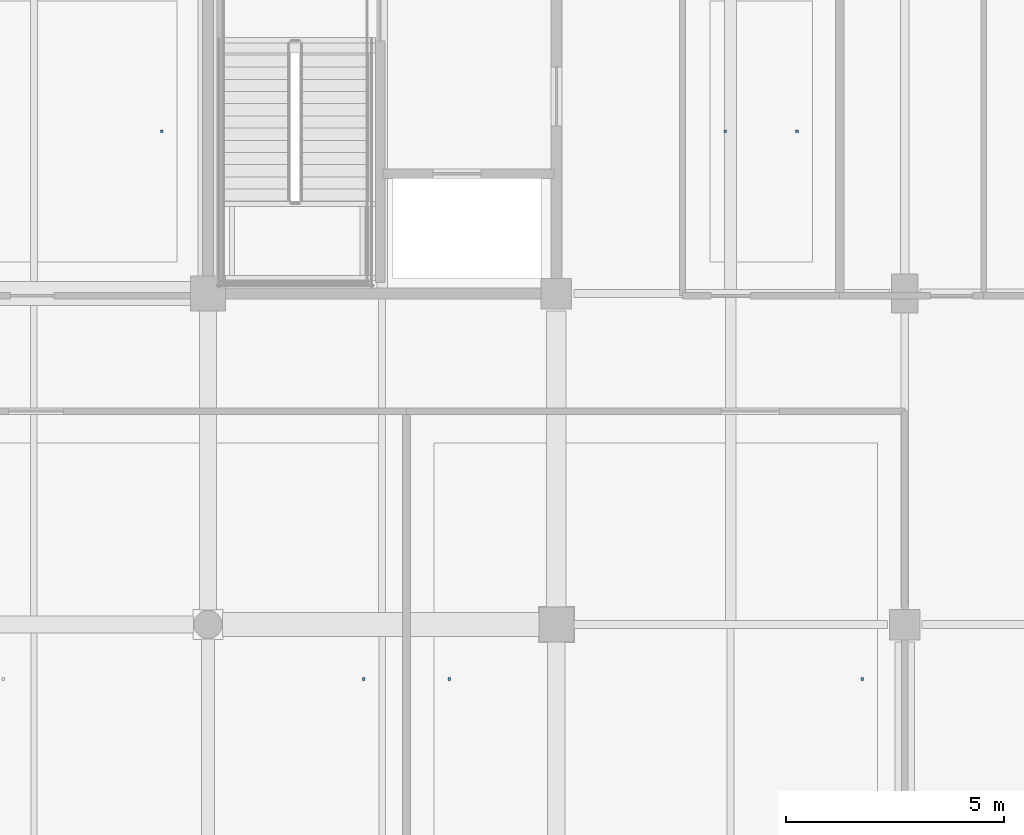
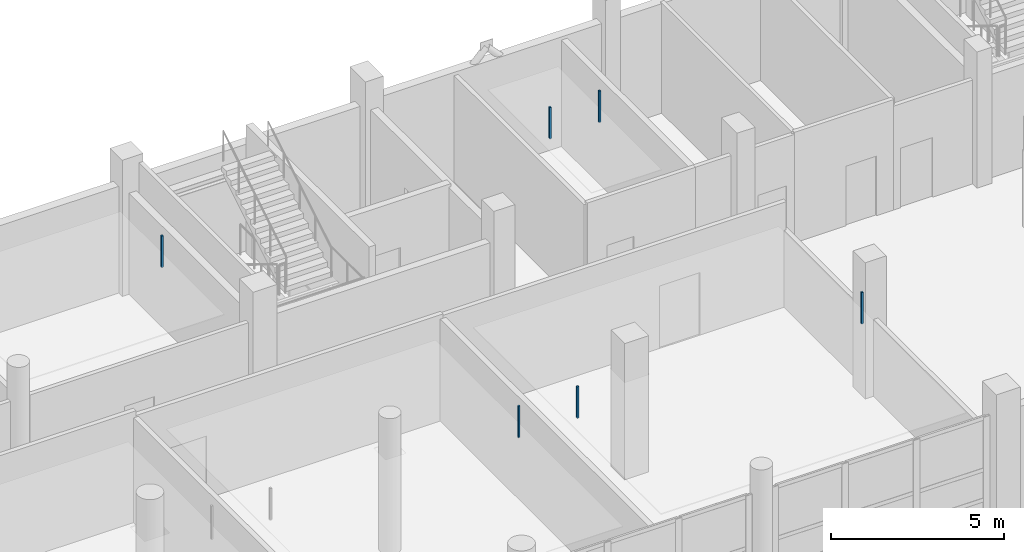
# One storey, part 120 of 141: 6 discrete accessories.
"""IFC4 building model written with IfcOpenShell, lengths in metres."""

from ifc_helpers import new_model, si_unit, direction, frame, origin, origin_2d, place, context, subcontext, project, spatial, rectangle, extrude, material, type_object, element, save


model = new_model("IFC4")

# Units and contexts
model_context = context("Model", 3, precision=1e-05, world=origin(), true_north=direction((0.0, 1.0)))
body_context = subcontext(model_context, "Body", "Model", "MODEL_VIEW")
ifc_project = project(units=[si_unit("LENGTHUNIT", "METRE"), si_unit("AREAUNIT", "SQUARE_METRE"), si_unit("VOLUMEUNIT", "CUBIC_METRE"), si_unit("PLANEANGLEUNIT", "RADIAN"), si_unit("MASSUNIT", "GRAM", prefix="KILO")], contexts=[model_context])

# Site, building, storey
site_placement = place(None, origin())
site = spatial("IfcSite", under=ifc_project, at=site_placement, CompositionType="ELEMENT")
building_placement = place(site_placement, origin())
building = spatial("IfcBuilding", under=site, at=building_placement, Name="Khelvaren Railside Concert Hall", CompositionType="ELEMENT")
storey_placement = place(building_placement, frame((0.0, 0.0, 10.199951171875)))
storey = spatial("IfcBuildingStorey", under=building, at=storey_placement, Name="L02", CompositionType="ELEMENT", Elevation=10.199951171875)

# Discrete accessories
ifc_material = material(Name="Galvanised steel acoustic ceiling hanger rod", Category="steel")
discrete_accessory_type = type_object("IfcDiscreteAccessoryType", Name="BRK62", PredefinedType="BRACKET", material=ifc_material)
for number, where, z_axis, x_axis, name in (
    (1, (147.575927734375, 97.550048828125, 3.43017578125), (0.0, 0.0, 1.0), (1.0, 0.0, 0.0), "Acoustic Ceiling Suspension Bracket 147-2"),
    (2, (149.535888671875, 97.550048828125, 3.43017578125), (0.0, 0.0, 1.0), (1.0, 0.0, 0.0), "Acoustic Ceiling Suspension Bracket 148-1"),
    (3, (159.02001953125, 97.550048828125, 3.43017578125), (0.0, 0.0, 1.0), (1.0, 0.0, 0.0), "Acoustic Ceiling Suspension Bracket 148-2"),
    (4, (142.93994140625, 110.125, 3.43017578125), (0.0, 0.0, 1.0), (1.0, 0.0, 0.0), "Acoustic Ceiling Suspension Bracket 152-2"),
    (5, (155.8798828125, 110.125, 3.43017578125), (0.0, 0.0, 1.0), (1.0, 0.0, 0.0), "Acoustic Ceiling Suspension Bracket 153-1"),
    (6, (157.52587890625, 110.125, 3.43017578125), (0.0, 0.0, 1.0), (1.0, 0.0, 0.0), "Acoustic Ceiling Suspension Bracket 153-2"),
):
    element("IfcDiscreteAccessory", number, at=place(storey_placement, frame(where, z_axis=z_axis, x_axis=x_axis)), inside=storey, type_object=discrete_accessory_type, Name=name, PredefinedType="BRACKET", context=body_context, shape_type="SweptSolid", body=[
        extrude(rectangle(XDim=0.06005859375, YDim=0.06005859375, at=origin_2d()), origin(), (0.0, 0.0, 1.0), 1.110107421875),
    ])

save(model, "model.ifc")
